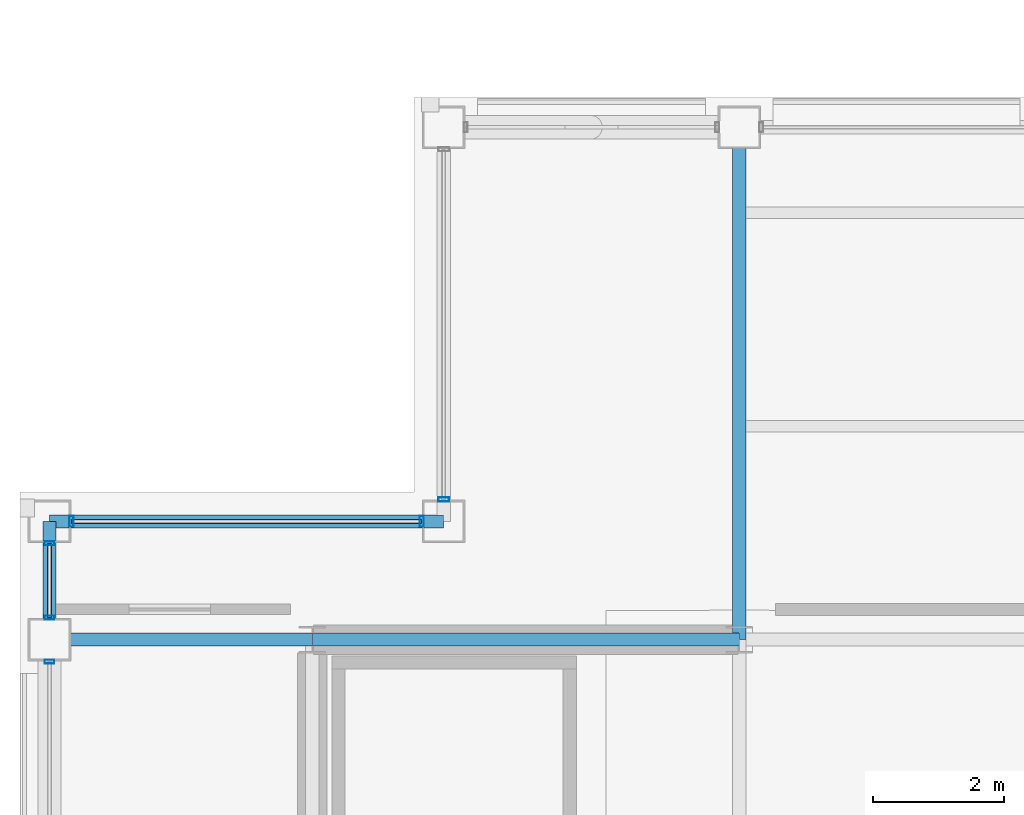
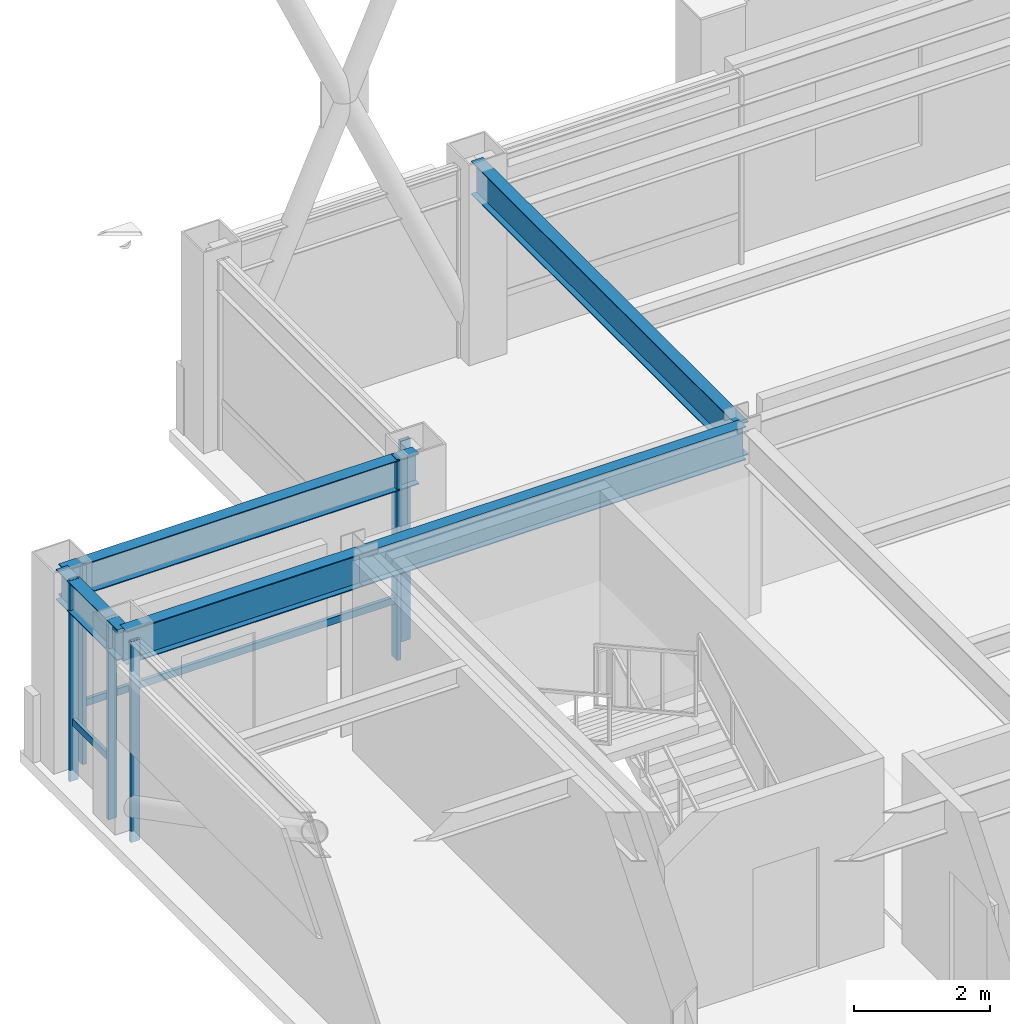
# One storey, part 13 of 30: 8 members, 5 beams, 4 elements without a shape of their own.
"""IFC4 building model written with IfcOpenShell, lengths in metres."""

from ifc_helpers import new_model, si_unit, direction, frame, origin, origin_2d, place, context, subcontext, project, spatial, hollow_rectangle, i_section, extrude, material, layer, layer_set, material_profile, profile_set, type_object, element, aggregate, save


model = new_model("IFC4")

# Units and contexts
model_context = context("Model", 3, precision=1e-05, world=origin(), true_north=direction((0.0, 1.0)))
body_context = subcontext(model_context, "Body", "Model", "MODEL_VIEW")
ifc_project = project(units=[si_unit("LENGTHUNIT", "METRE"), si_unit("AREAUNIT", "SQUARE_METRE"), si_unit("VOLUMEUNIT", "CUBIC_METRE"), si_unit("PLANEANGLEUNIT", "RADIAN"), si_unit("MASSUNIT", "GRAM", prefix="KILO")], contexts=[model_context])

# Site, building, storey
site_placement = place(None, origin())
site = spatial("IfcSite", under=ifc_project, at=site_placement, CompositionType="ELEMENT")
building_placement = place(site_placement, origin())
building = spatial("IfcBuilding", under=site, at=building_placement, Name="Brelmoor Portico Tower", CompositionType="ELEMENT")
storey_placement = place(building_placement, frame((0.0, 0.0, 236.39990234375)))
storey = spatial("IfcBuildingStorey", under=building, at=storey_placement, Name="L62", CompositionType="ELEMENT", Elevation=236.39990234375)

# Beams
ifc_material_1 = material(Name="Steel Q355B", Category="steel")
ifc_material_profile_1 = material_profile(ifc_material_1, i_section(OverallWidth=0.199951171875, OverallDepth=0.60009765625, WebThickness=0.010986328125, FlangeThickness=0.01708984375, at=origin_2d()), Name="HN 600x200x11x17")
ifc_profile_set_1 = profile_set([ifc_material_profile_1], Name="Steel Q355B")
beam_type_1 = type_object("IfcBeamType", Name="BM-PG-600", PredefinedType="BEAM", material=ifc_profile_set_1)
beam_1_placement = place(storey_placement, frame((-8.050048828125, 9.75, 3.10009765625), z_axis=(0.0, 1.0, 0.0), x_axis=(-1.0, 0.0, 0.0)))
element("IfcBeam", 1, at=beam_1_placement, inside=storey, type_object=beam_type_1, Name="L62 Primary Floor Girder PG-05", PredefinedType="BEAM", context=body_context, shape_type="SweptSolid", body=[
    extrude(i_section(OverallWidth=0.199951171875, OverallDepth=0.60009765625, WebThickness=0.010986328125, FlangeThickness=0.01708984375, at=origin_2d()), origin(), (0.0, 0.0, 1.0), 7.800048828125),
])
beam_2_placement = place(storey_placement, frame((-18.550048828125, 9.75, 3.10009765625), z_axis=(1.0, 0.0, 0.0), x_axis=(0.0, 1.0, 0.0)))
element("IfcBeam", 2, at=beam_2_placement, inside=storey, type_object=beam_type_1, Name="L62 Primary Floor Girder PG-19", PredefinedType="BEAM", context=body_context, shape_type="SweptSolid", body=[
    extrude(i_section(OverallWidth=0.199951171875, OverallDepth=0.60009765625, WebThickness=0.010986328125, FlangeThickness=0.01708984375, at=origin_2d()), origin(), (0.0, 0.0, 1.0), 4.0),
])
beam_3_placement = place(storey_placement, frame((-14.550048828125, 9.75, 3.10009765625), z_axis=(1.0, 0.0, 0.0), x_axis=(0.0, 1.0, 0.0)))
element("IfcBeam", 3, at=beam_3_placement, inside=storey, type_object=beam_type_1, Name="L62 Primary Floor Girder PG-20", PredefinedType="BEAM", context=body_context, shape_type="SweptSolid", body=[
    extrude(i_section(OverallWidth=0.199951171875, OverallDepth=0.60009765625, WebThickness=0.010986328125, FlangeThickness=0.01708984375, at=origin_2d()), origin(), (0.0, 0.0, 1.0), 6.5),
])
ifc_material_profile_2 = material_profile(ifc_material_1, i_section(OverallWidth=0.199951171875, OverallDepth=0.550048828125, WebThickness=0.010009765625, FlangeThickness=0.01611328125, at=origin_2d()), Name="HN 550x200x10x16")
ifc_profile_set_2 = profile_set([ifc_material_profile_2], Name="Steel Q355B")
beam_type_2 = type_object("IfcBeamType", Name="BM-SP-550", PredefinedType="SPANDREL", material=ifc_profile_set_2)
beam_4_placement = place(storey_placement, frame((-18.550048828125, 11.550048828125, 3.125), z_axis=(1.0, 0.0, 0.0), x_axis=(0.0, 1.0, 0.0)))
element("IfcBeam", 4, at=beam_4_placement, inside=storey, type_object=beam_type_2, Name="L62 Perimeter Spandrel Beam SP-06", PredefinedType="SPANDREL", context=body_context, shape_type="SweptSolid", body=[
    extrude(i_section(OverallWidth=0.199951171875, OverallDepth=0.550048828125, WebThickness=0.010009765625, FlangeThickness=0.01611328125, at=origin_2d()), origin(), (0.0, 0.0, 1.0), 6.0),
])
beam_5_placement = place(storey_placement, frame((-18.550048828125, 9.75, 3.125), z_axis=(0.0, 1.0, 0.0), x_axis=(-1.0, 0.0, 0.0)))
element("IfcBeam", 5, at=beam_5_placement, inside=storey, type_object=beam_type_2, Name="L62 Perimeter Spandrel Beam SP-13", PredefinedType="SPANDREL", context=body_context, shape_type="SweptSolid", body=[
    extrude(i_section(OverallWidth=0.199951171875, OverallDepth=0.550048828125, WebThickness=0.010009765625, FlangeThickness=0.01611328125, at=origin_2d()), origin(), (0.0, 0.0, 1.0), 1.800048828125),
])

# Curtain wall, member
ifc_material_2 = material(Name="Anodised Aluminium Alloy 6063-T6", Category="aluminium")
ifc_layer_1 = layer(ifc_material_2, 0.179931640625)
ifc_layer_set_1 = layer_set([ifc_layer_1], Name="Anodised Aluminium Alloy 6063-T6")
curtain_wall_type_1 = type_object("IfcCurtainWallType", Name="CW-TOWER-Z4-XB", PredefinedType="NOTDEFINED", material=ifc_layer_set_1)
curtain_wall_1_placement = place(storey_placement, origin())
curtain_wall_1 = element("IfcCurtainWall", 6, at=curtain_wall_1_placement, inside=storey, type_object=curtain_wall_type_1, Name="L62 Curtain Wall CW-L62-03-2", PredefinedType="NOTDEFINED")
ifc_material_profile_3 = material_profile(ifc_material_2, hollow_rectangle(XDim=0.06005859375, YDim=0.14990234375, WallThickness=0.00390625, at=origin_2d()), Name="ALU MULLION 60x150")
ifc_profile_set_3 = profile_set([ifc_material_profile_3], Name="Anodised Aluminium Alloy 6063-T6")
member_type_1 = type_object("IfcMemberType", Name="MB-CW-MULL-150", PredefinedType="MULLION", material=ifc_profile_set_3)
member_1_placement = place(storey_placement, frame((-18.550048828125, 9.4150390625, -0.199951171875), z_axis=(0.0, 0.0, 1.0), x_axis=(0.0, 1.0, 0.0)))
member_1 = element("IfcMember", 7, at=member_1_placement, type_object=member_type_1, Name="CW-L62-03-2 Mullion 02", PredefinedType="MULLION", context=body_context, shape_type="SweptSolid", body=[
    extrude(hollow_rectangle(XDim=0.06005859375, YDim=0.14990234375, WallThickness=0.00390625, at=origin_2d()), origin(), (0.0, 0.0, 1.0), 3.60009765625),
])
aggregate(curtain_wall_1, [member_1])

# Curtain wall, members
ifc_layer_2 = layer(ifc_material_2, 0.179931640625)
ifc_layer_set_2 = layer_set([ifc_layer_2], Name="Anodised Aluminium Alloy 6063-T6")
curtain_wall_type_2 = type_object("IfcCurtainWallType", Name="CW-TOWER-Z4", PredefinedType="NOTDEFINED", material=ifc_layer_set_2)
curtain_wall_2_placement = place(storey_placement, origin())
curtain_wall_2 = element("IfcCurtainWall", 8, at=curtain_wall_2_placement, inside=storey, type_object=curtain_wall_type_2, Name="L62 Curtain Wall CW-L62-03-3", PredefinedType="NOTDEFINED")
member_2_placement = place(storey_placement, frame((-18.550048828125, 10.0849609375, -0.199951171875), z_axis=(0.0, 0.0, 1.0), x_axis=(0.0, 1.0, 0.0)))
member_2 = element("IfcMember", 9, at=member_2_placement, type_object=member_type_1, Name="CW-L62-03-3 Mullion 00", PredefinedType="MULLION", context=body_context, shape_type="SweptSolid", body=[
    extrude(hollow_rectangle(XDim=0.06005859375, YDim=0.14990234375, WallThickness=0.00390625, at=origin_2d()), origin(), (0.0, 0.0, 1.0), 3.60009765625),
])
member_3_placement = place(storey_placement, frame((-18.550048828125, 11.215087890625, -0.199951171875), z_axis=(0.0, 0.0, 1.0), x_axis=(0.0, 1.0, 0.0)))
member_3 = element("IfcMember", 10, at=member_3_placement, type_object=member_type_1, Name="CW-L62-03-3 Mullion 01", PredefinedType="MULLION", context=body_context, shape_type="SweptSolid", body=[
    extrude(hollow_rectangle(XDim=0.06005859375, YDim=0.14990234375, WallThickness=0.00390625, at=origin_2d()), origin(), (0.0, 0.0, 1.0), 3.60009765625),
])

ifc_layer_3 = layer(ifc_material_2, 0.179931640625)
ifc_layer_set_3 = layer_set([ifc_layer_3], Name="Anodised Aluminium Alloy 6063-T6")
curtain_wall_type_3 = type_object("IfcCurtainWallType", Name="CW-NOTCH-CHAMFER", PredefinedType="NOTDEFINED", material=ifc_layer_set_3)
curtain_wall_3_placement = place(storey_placement, origin())
curtain_wall_3 = element("IfcCurtainWall", 11, at=curtain_wall_3_placement, inside=storey, type_object=curtain_wall_type_3, Name="L62 Curtain Wall CWN-L62-NWH", PredefinedType="NOTDEFINED")
ifc_material_profile_4 = material_profile(ifc_material_2, hollow_rectangle(XDim=0.06494140625, YDim=0.1650390625, WallThickness=0.00390625, at=origin_2d()), Name="ALU MULLION 65x165")
ifc_profile_set_4 = profile_set([ifc_material_profile_4], Name="Anodised Aluminium Alloy 6063-T6")
member_type_2 = type_object("IfcMemberType", Name="MB-CW-MULL-165", PredefinedType="MULLION", material=ifc_profile_set_4)
member_4_placement = place(storey_placement, frame((-18.215087890625, 11.550048828125, -0.199951171875), z_axis=(0.0, 0.0, 1.0), x_axis=(1.0, 0.0, 0.0)))
member_4 = element("IfcMember", 12, at=member_4_placement, type_object=member_type_2, Name="CWN-L62-NWH Mullion 00", PredefinedType="MULLION", context=body_context, shape_type="SweptSolid", body=[
    extrude(hollow_rectangle(XDim=0.06494140625, YDim=0.1650390625, WallThickness=0.00390625, at=origin_2d()), origin(), (0.0, 0.0, 1.0), 3.60009765625),
])
member_5_placement = place(storey_placement, frame((-12.885009765625, 11.550048828125, -0.199951171875), z_axis=(0.0, 0.0, 1.0), x_axis=(1.0, 0.0, 0.0)))
member_5 = element("IfcMember", 13, at=member_5_placement, type_object=member_type_2, Name="CWN-L62-NWH Mullion 01", PredefinedType="MULLION", context=body_context, shape_type="SweptSolid", body=[
    extrude(hollow_rectangle(XDim=0.06494140625, YDim=0.1650390625, WallThickness=0.00390625, at=origin_2d()), origin(), (0.0, 0.0, 1.0), 3.60009765625),
])

# Curtain wall, member
curtain_wall_4_placement = place(storey_placement, origin())
curtain_wall_4 = element("IfcCurtainWall", 14, at=curtain_wall_4_placement, inside=storey, type_object=curtain_wall_type_3, Name="L62 Curtain Wall CWN-L62-NWV", PredefinedType="NOTDEFINED")
member_6_placement = place(storey_placement, frame((-12.550048828125, 11.885009765625, -0.199951171875), z_axis=(0.0, 0.0, 1.0), x_axis=(0.0, 1.0, 0.0)))
member_6 = element("IfcMember", 15, at=member_6_placement, type_object=member_type_2, Name="CWN-L62-NWV Mullion 00", PredefinedType="MULLION", context=body_context, shape_type="SweptSolid", body=[
    extrude(hollow_rectangle(XDim=0.06494140625, YDim=0.1650390625, WallThickness=0.00390625, at=origin_2d()), origin(), (0.0, 0.0, 1.0), 3.60009765625),
])
aggregate(curtain_wall_4, [member_6])

# Member
ifc_material_profile_5 = material_profile(ifc_material_2, hollow_rectangle(XDim=0.06005859375, YDim=0.125, WallThickness=0.00341796875, at=origin_2d()), Name="ALU TRANSOM 60x125")
ifc_profile_set_5 = profile_set([ifc_material_profile_5], Name="Anodised Aluminium Alloy 6063-T6")
member_type_3 = type_object("IfcMemberType", Name="MB-CW-TRAN-125", PredefinedType="USERDEFINED", material=ifc_profile_set_5)
member_7_placement = place(storey_placement, frame((-18.550048828125, 10.0849609375, 0.85009765625), z_axis=(0.0, 1.0, 0.0), x_axis=(-1.0, 0.0, 0.0)))
member_7 = element("IfcMember", 16, at=member_7_placement, type_object=member_type_3, Name="CW-L62-03-3 Transom 1-00", ObjectType="TRANSOM", PredefinedType="USERDEFINED", context=body_context, shape_type="SweptSolid", body=[
    extrude(hollow_rectangle(XDim=0.06005859375, YDim=0.125, WallThickness=0.00341796875, at=origin_2d()), origin(), (0.0, 0.0, 1.0), 1.130126953125),
])

aggregate(curtain_wall_2, [member_2, member_3, member_7])

member_8_placement = place(storey_placement, frame((-18.215087890625, 11.550048828125, 0.85009765625), z_axis=(1.0, 0.0, 0.0), x_axis=(0.0, 1.0, 0.0)))
member_8 = element("IfcMember", 17, at=member_8_placement, type_object=member_type_3, Name="CWN-L62-NWH Transom 1-00", ObjectType="TRANSOM", PredefinedType="USERDEFINED", context=body_context, shape_type="SweptSolid", body=[
    extrude(hollow_rectangle(XDim=0.06005859375, YDim=0.125, WallThickness=0.00341796875, at=origin_2d()), origin(), (0.0, 0.0, 1.0), 5.330078125),
])

aggregate(curtain_wall_3, [member_4, member_5, member_8])

save(model, "model.ifc")
